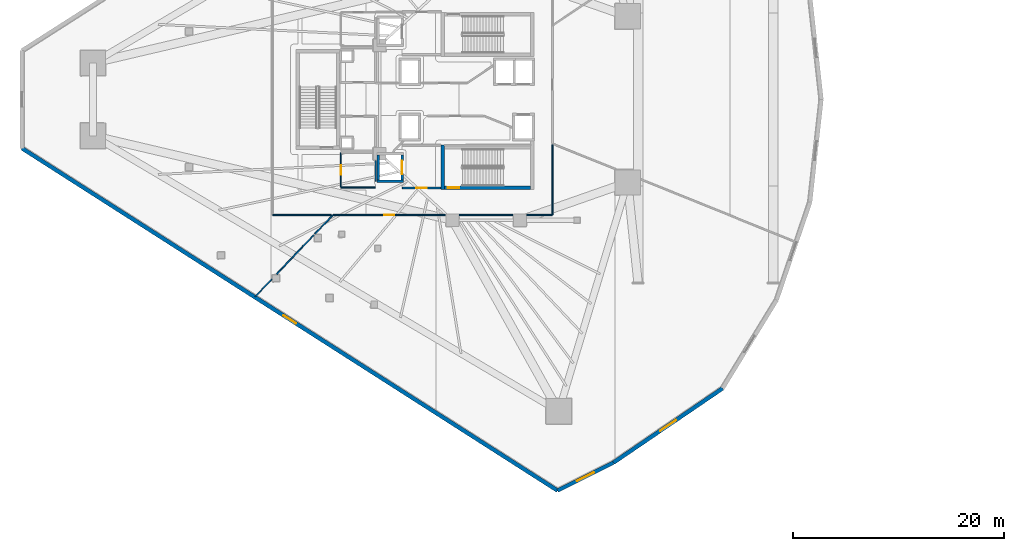
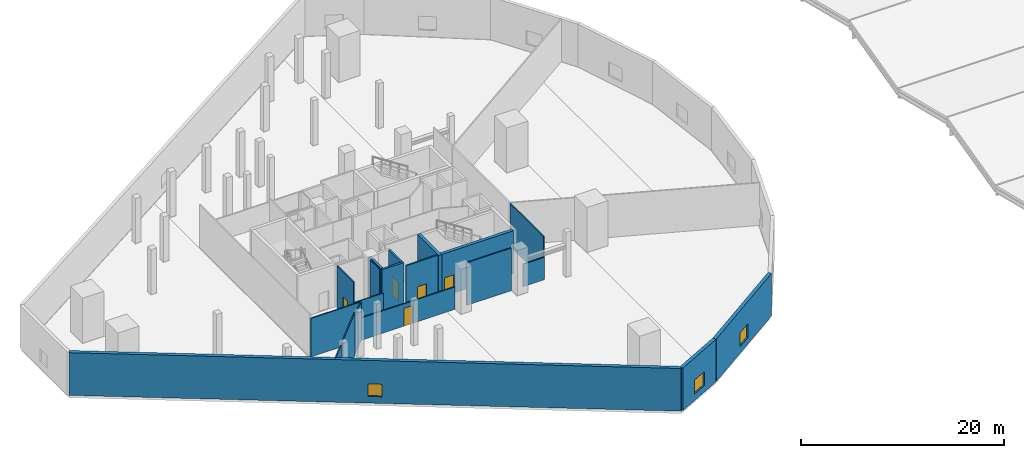
# One storey, part 24 of 36: 20 walls, 5 doors, 3 windows, 8 openings.
"""IFC4 building model written with IfcOpenShell, lengths in metres."""

import ifcopenshell
import ifcopenshell.guid

model = None  # the IFC model being written
_history = None  # IfcOwnerHistory: only IFC2X3 demands one
_inside = {}  # id of a spatial element -> (the spatial element, [elements in it])
_under = {}  # id of a project, library or spatial element -> (it, [spatial elements below it])
_declared = {}  # id of a project -> (the project, [libraries it declares])
_typed = {}  # id of a type object -> (the type object, [elements of that type])
_made_of = {}  # id of a material, layer set ... -> (it, [elements and type objects made of it])


def new_model(schema):
    """Start an empty IFC model of exactly this schema.

    Asked for "IFC4X3", IfcOpenShell would pick the latest addendum, in which some entities
    have other attributes; the version numbers below select the first issue.
    IFC2X3 requires an IfcOwnerHistory on every rooted entity: one is made here for all.
    """
    global model, _history
    if schema == "IFC4X3":
        model = ifcopenshell.file(schema_version=(4, 3, 0, 0))
    else:
        model = ifcopenshell.file(schema=schema)
    _inside.clear()
    _under.clear()
    _declared.clear()
    _typed.clear()
    _made_of.clear()
    _history = None
    if model.schema == "IFC2X3":
        org = make("IfcOrganization", Name="unknown")
        user = make(
            "IfcPersonAndOrganization",
            ThePerson=make("IfcPerson", FamilyName="unknown"),
            TheOrganization=org,
        )
        app = make(
            "IfcApplication",
            ApplicationDeveloper=org,
            Version="unknown",
            ApplicationFullName="unknown",
            ApplicationIdentifier="unknown",
        )
        _history = make(
            "IfcOwnerHistory",
            OwningUser=user,
            OwningApplication=app,
            ChangeAction="ADDED",
            CreationDate=0,
        )
    return model


def make(cls, **values):
    """One entity of the class cls with the attributes given. An attribute that is None is left unset."""
    return model.create_entity(
        cls, **{name: value for name, value in values.items() if value is not None}
    )


def rooted(cls, **values):
    """An entity with a GlobalId (a new one), such as an element, a storey or a relation."""
    return make(cls, GlobalId=ifcopenshell.guid.new(), OwnerHistory=_history, **values)


def si_unit(unit_type, name, prefix=None):
    """IfcSIUnit, for example si_unit("LENGTHUNIT", "METRE", prefix="MILLI")."""
    return make("IfcSIUnit", UnitType=unit_type, Prefix=prefix, Name=name)


def assignment(units):
    """IfcUnitAssignment: the units of a project."""
    return None if units is None else make("IfcUnitAssignment", Units=units)


def point(xyz):
    """IfcCartesianPoint."""
    return None if xyz is None else make("IfcCartesianPoint", Coordinates=xyz)


def direction(xyz):
    """IfcDirection."""
    return None if xyz is None else make("IfcDirection", DirectionRatios=xyz)


def frame(location, z_axis=None, x_axis=None):
    """IfcAxis2Placement3D, a coordinate frame: its origin and axes. An axis left out is left unset."""
    return make(
        "IfcAxis2Placement3D",
        Location=point(location),
        Axis=direction(z_axis),
        RefDirection=direction(x_axis),
    )


def frame_2d(location, x_axis=None):
    """IfcAxis2Placement2D, a coordinate frame in the plane: its origin and x axis."""
    return make(
        "IfcAxis2Placement2D", Location=point(location), RefDirection=direction(x_axis)
    )


def origin():
    """The frame at (0, 0, 0) with its axes left unset."""
    return frame((0.0, 0.0, 0.0))


def place(relative_to, where):
    """IfcLocalPlacement: puts the frame where relative to a parent placement (None: the world)."""
    return make(
        "IfcLocalPlacement", PlacementRelTo=relative_to, RelativePlacement=where
    )


def context(
    kind, dimensions, precision=None, world=None, true_north=None, identifier=None
):
    """IfcGeometricRepresentationContext, for example the 3D "Model" context."""
    return make(
        "IfcGeometricRepresentationContext",
        ContextIdentifier=identifier,
        ContextType=kind,
        CoordinateSpaceDimension=dimensions,
        Precision=precision,
        WorldCoordinateSystem=world,
        TrueNorth=true_north,
    )


def subcontext(parent, identifier, kind, view, scale=None):
    """IfcGeometricRepresentationSubContext, for example "Body" below "Model"."""
    return make(
        "IfcGeometricRepresentationSubContext",
        ContextIdentifier=identifier,
        ContextType=kind,
        ParentContext=parent,
        TargetScale=scale,
        TargetView=view,
    )


def project(units=None, contexts=None):
    """IfcProject with its units and contexts."""
    return rooted(
        "IfcProject",
        Name="project",
        RepresentationContexts=contexts,
        UnitsInContext=assignment(units),
    )


def spatial(cls, under=None, at=None, **own):
    """A site, building, storey or space (cls), placed at a placement, below another one or the project."""
    s = rooted(cls, ObjectPlacement=at, **own)
    if under is not None:
        _under.setdefault(under.id(), (under, []))[1].append(s)
    return s


def profile(cls, at=None, kind="AREA", **sizes):
    """A parametric profile (cls). Its sizes go by their IFC names, for example OverallWidth=200.0."""
    return make(cls, ProfileType=kind, Position=at, **sizes)


def rectangle(**sizes):
    """IfcRectangleProfileDef."""
    return profile("IfcRectangleProfileDef", **sizes)


def extrude(swept, where, along, depth):
    """IfcExtrudedAreaSolid: the profile swept, set in the frame where, extruded along a direction by depth."""
    return make(
        "IfcExtrudedAreaSolid",
        SweptArea=swept,
        Position=where,
        ExtrudedDirection=direction(along),
        Depth=depth,
    )


def shape(context_of_items, identifier, shape_type, items):
    """IfcShapeRepresentation: the items that make up one representation, for example the "Body"."""
    return make(
        "IfcShapeRepresentation",
        ContextOfItems=context_of_items,
        RepresentationIdentifier=identifier,
        RepresentationType=shape_type,
        Items=items,
    )


def material(Name=None, Category=None):
    """IfcMaterial."""
    return make("IfcMaterial", Name=Name, Category=Category)


def layer(
    of_material, thickness, ventilated=None, Name=None, Category=None, Priority=None
):
    """IfcMaterialLayer: one layer of a wall or slab, of a material (None: an air gap)."""
    return make(
        "IfcMaterialLayer",
        Material=of_material,
        LayerThickness=thickness,
        IsVentilated=ventilated,
        Name=Name,
        Category=Category,
        Priority=Priority,
    )


def layer_set(layers, Name=None):
    """IfcMaterialLayerSet."""
    return make("IfcMaterialLayerSet", MaterialLayers=layers, LayerSetName=Name)


def made_of(thing, what):
    """Note that an element or type object is made of a material, layer set ...; save() writes the relation."""
    if what is not None:
        _made_of.setdefault(what.id(), (what, []))[1].append(thing)
    return thing


def type_object(cls, material=None, **own):
    """A type object (cls), such as IfcWallType, which elements share."""
    return made_of(rooted(cls, **own), material)


def element(
    cls,
    number,
    at=None,
    inside=None,
    cuts=None,
    type_object=None,
    material=None,
    context=None,
    identifier="Body",
    shape_type=None,
    held_by="IfcProductDefinitionShape",
    body=None,
    shapes=None,
    **own,
):
    """One element of the class cls, such as IfcWall. Its Tag is "e" and its number.

    at: its placement. inside: the storey or other place that contains it. cuts: it is an
    opening in that element (IfcRelVoidsElement). A single representation is given by context,
    identifier, shape_type and body (its items); several are given by shapes. held_by: the class
    of the entity that holds the representations. save() writes the other relations.
    """
    e = rooted(cls, Tag="e%d" % number, ObjectPlacement=at, **own)
    if body is not None:
        shapes = [shape(context, identifier, shape_type, body)]
    if shapes is not None:
        e.Representation = make(held_by, Representations=shapes)
    if inside is not None:
        _inside.setdefault(inside.id(), (inside, []))[1].append(e)
    if cuts is not None:
        rooted(
            "IfcRelVoidsElement", RelatingBuildingElement=cuts, RelatedOpeningElement=e
        )
    if type_object is not None:
        _typed.setdefault(type_object.id(), (type_object, []))[1].append(e)
    return made_of(e, material)


def fill(opening, filler):
    """IfcRelFillsElement: the door or window that sits in an opening."""
    return rooted(
        "IfcRelFillsElement",
        RelatingOpeningElement=opening,
        RelatedBuildingElement=filler,
    )


def aggregate(whole, parts):
    """IfcRelAggregates: a whole, such as a stair, and the parts it consists of."""
    return rooted("IfcRelAggregates", RelatingObject=whole, RelatedObjects=parts)


def save(model, path):
    """Write the relations noted so far, then the file.

    IfcRelAggregates (storeys below a building ...), IfcRelContainedInSpatialStructure (elements
    in a storey), IfcRelDefinesByType, IfcRelAssociatesMaterial and IfcRelDeclares: one each for
    every whole, place, type object, material and project.
    """
    for whole, parts in _under.values():
        aggregate(whole, parts)
    for where, things in _inside.values():
        rooted(
            "IfcRelContainedInSpatialStructure",
            RelatedElements=things,
            RelatingStructure=where,
        )
    for kind, things in _typed.values():
        rooted("IfcRelDefinesByType", RelatedObjects=things, RelatingType=kind)
    for what, things in _made_of.values():
        rooted("IfcRelAssociatesMaterial", RelatedObjects=things, RelatingMaterial=what)
    for by, libraries in _declared.values():
        rooted("IfcRelDeclares", RelatingContext=by, RelatedDefinitions=libraries)
    model.write(path)


model = new_model("IFC4")

# Units and contexts
model_context = context("Model", 3, precision=1e-05, world=origin(), true_north=direction((0.0, 1.0)))
body_context = subcontext(model_context, "Body", "Model", "MODEL_VIEW")
ifc_project = project(units=[si_unit("LENGTHUNIT", "METRE"), si_unit("AREAUNIT", "SQUARE_METRE"), si_unit("VOLUMEUNIT", "CUBIC_METRE"), si_unit("PLANEANGLEUNIT", "RADIAN"), si_unit("MASSUNIT", "GRAM", prefix="KILO")], contexts=[model_context])

# Site, building, storey
site_placement = place(None, origin())
site = spatial("IfcSite", under=ifc_project, at=site_placement, CompositionType="ELEMENT")
building_placement = place(site_placement, origin())
building = spatial("IfcBuilding", under=site, at=building_placement, Name="Qorvath Tower", CompositionType="ELEMENT")
storey_placement = place(building_placement, frame((0.0, 0.0, 27.0)))
storey = spatial("IfcBuildingStorey", under=building, at=storey_placement, Name="L05", CompositionType="ELEMENT", Elevation=27.0)

# Wall, opening, door
ifc_material_1 = material(Name="Gypsum shaftliner on steel studs", Category="steel")
ifc_layer_1 = layer(ifc_material_1, 0.179931640625)
ifc_layer_set_1 = layer_set([ifc_layer_1], Name="FW-LOBBY")
wall_type_1 = type_object("IfcWallType", Name="FW-LOBBY", PredefinedType="PARTITIONING", material=ifc_layer_set_1)
wall_1_placement = place(storey_placement, frame((-28.35498046875, -8.39990234375, 0.0), z_axis=(0.0, 0.0, 1.0), x_axis=(1.0, 0.0, 0.0)))
wall_1 = element("IfcWall", 1, at=wall_1_placement, inside=storey, type_object=wall_type_1, Name="Interior Partition IW-T1-L05-003", PredefinedType="PARTITIONING", context=body_context, shape_type="SweptSolid", body=[
    extrude(rectangle(XDim=3.6220703125, YDim=0.179931640625, at=frame_2d((1.81103515625, 0.0))), origin(), (0.0, 0.0, 1.0), 5.1201171875),
])
opening_1_placement = place(wall_1_placement, frame((1.31103515625, 0.0, 0.0)))
opening_1 = element("IfcOpeningElement", 2, at=opening_1_placement, cuts=wall_1, Name="Opening D-T1-L05-10", PredefinedType="OPENING", context=body_context, shape_type="SweptSolid", body=[
    extrude(rectangle(XDim=1.0, YDim=2.14990234375, at=frame_2d((0.5, 1.074951171875))), frame((0.0, 0.10009765625, 0.0), z_axis=(0.0, -1.0, 0.0), x_axis=(1.0, 0.0, 0.0)), (0.0, 0.0, 1.0), 0.199951171875),
])
ifc_material_2 = material(Name="Painted galvanised hollow metal", Category="steel")
door_type_1 = type_object("IfcDoorType", Name="FD-60", OperationType="NOTDEFINED", PredefinedType="DOOR", material=ifc_material_2)
door_1_placement = place(opening_1_placement, origin())
door_1 = element("IfcDoor", 3, at=door_1_placement, inside=storey, type_object=door_type_1, Name="Lobby Fire Service Elevator South Door D-T1-L05-10", OperationType="SINGLE_SWING_LEFT", OverallHeight=2.14990234375, OverallWidth=1.0, PredefinedType="DOOR", context=body_context, shape_type="SweptSolid", body=[
    extrude(rectangle(XDim=1.0, YDim=2.14990234375, at=frame_2d((0.5, 1.074951171875))), frame((0.0, 0.02490234375, 0.0), z_axis=(0.0, -1.0, 0.0), x_axis=(1.0, 0.0, 0.0)), (0.0, 0.0, 1.0), 0.050048828125),
])
fill(opening_1, door_1)

# Walls
ifc_material_3 = material(Name="Gypsum board on metal studs with mineral wool", Category="gypsum")
ifc_layer_2 = layer(ifc_material_3, 0.125)
ifc_layer_set_2 = layer_set([ifc_layer_2], Name="IW-PART-125")
wall_type_2 = type_object("IfcWallType", Name="IW-PART-125", PredefinedType="PARTITIONING", material=ifc_layer_set_2)
wall_2_placement = place(storey_placement, frame((-42.29296875, -18.68505859375, 0.0), z_axis=(0.0, 0.0, 1.0), x_axis=(0.689612547917, 0.724178523401, 0.0)))
element("IfcWall", 4, at=wall_2_placement, inside=storey, type_object=wall_type_2, Name="Interior Partition IW-T1-L05-023", PredefinedType="PARTITIONING", context=body_context, shape_type="SweptSolid", body=[
    extrude(rectangle(XDim=2.288330078125, YDim=0.125, at=frame_2d((1.14404296875, 0.0))), origin(), (0.0, 0.0, 1.0), 5.1201171875),
])
wall_3_placement = place(storey_placement, frame((-40.28125, -16.57275390625, 0.0), z_axis=(0.0, 0.0, 1.0), x_axis=(0.689604024541, 0.724186639849, 0.0)))
element("IfcWall", 5, at=wall_3_placement, inside=storey, type_object=wall_type_2, Name="Interior Partition IW-T1-L05-024", PredefinedType="PARTITIONING", context=body_context, shape_type="SweptSolid", body=[
    extrude(rectangle(XDim=5.125244140625, YDim=0.125, at=frame_2d((2.5625, 0.0))), origin(), (0.0, 0.0, 1.0), 5.1201171875),
])
wall_4_placement = place(storey_placement, frame((-36.6435546875, -12.75244140625, 0.0), z_axis=(0.0, 0.0, 1.0), x_axis=(0.689575635265, 0.724213672371, 0.0)))
element("IfcWall", 6, at=wall_4_placement, inside=storey, type_object=wall_type_2, Name="Interior Partition IW-T1-L05-025", PredefinedType="PARTITIONING", context=body_context, shape_type="SweptSolid", body=[
    extrude(rectangle(XDim=2.452880859375, YDim=0.125, at=frame_2d((1.2265625, 0.0))), origin(), (0.0, 0.0, 1.0), 4.633056640625),
])
wall_5_placement = place(storey_placement, frame((-40.633056640625, -10.9580078125, 0.0), z_axis=(0.0, 0.0, 1.0), x_axis=(1.0, 0.0, 0.0)))
element("IfcWall", 7, at=wall_5_placement, inside=storey, type_object=wall_type_2, Name="Interior Partition IW-T1-L05-026", PredefinedType="PARTITIONING", context=body_context, shape_type="SweptSolid", body=[
    extrude(rectangle(XDim=5.555908203125, YDim=0.125, at=frame_2d((2.77783203125, 0.0))), origin(), (0.0, 0.0, 1.0), 4.633056640625),
])

# Wall, opening, door
wall_6_placement = place(storey_placement, frame((-24.264892578125, -10.9580078125, 0.0), z_axis=(0.0, 0.0, 1.0), x_axis=(-1.0, 0.0, 0.0)))
wall_6 = element("IfcWall", 8, at=wall_6_placement, inside=storey, type_object=wall_type_2, Name="Interior Partition IW-T1-L05-032", PredefinedType="PARTITIONING", context=body_context, shape_type="SweptSolid", body=[
    extrude(rectangle(XDim=10.6337890625, YDim=0.125, at=frame_2d((5.31689453125, 0.0))), origin(), (0.0, 0.0, 1.0), 2.690185546875),
])
opening_2_placement = place(wall_6_placement, frame((4.841796875, 0.0, 0.0)))
opening_2 = element("IfcOpeningElement", 9, at=opening_2_placement, cuts=wall_6, Name="Opening D-T1-L05-08", PredefinedType="OPENING", context=body_context, shape_type="SweptSolid", body=[
    extrude(rectangle(XDim=0.949951171875, YDim=2.14990234375, at=frame_2d((0.47509765625, 1.074951171875))), frame((0.0, 0.072509765625, 0.0), z_axis=(0.0, -1.0, 0.0), x_axis=(1.0, 0.0, 0.0)), (0.0, 0.0, 1.0), 0.14501953125),
])
ifc_material_4 = material(Name="Solid-core American white oak veneer", Category="wood")
door_type_2 = type_object("IfcDoorType", Name="D-01", OperationType="NOTDEFINED", PredefinedType="DOOR", material=ifc_material_4)
door_2_placement = place(opening_2_placement, origin())
door_2 = element("IfcDoor", 10, at=door_2_placement, inside=storey, type_object=door_type_2, Name="L05-03 Design Pin-Up Atelier Door D-T1-L05-08", OperationType="SINGLE_SWING_LEFT", OverallHeight=2.14990234375, OverallWidth=0.949951171875, PredefinedType="DOOR", context=body_context, shape_type="SweptSolid", body=[
    extrude(rectangle(XDim=0.949951171875, YDim=2.14990234375, at=frame_2d((0.47509765625, 1.074951171875))), frame((0.0, 0.02490234375, 0.0), z_axis=(0.0, -1.0, 0.0), x_axis=(1.0, 0.0, 0.0)), (0.0, 0.0, 1.0), 0.050048828125),
])
fill(opening_2, door_2)

# Walls
wall_7_placement = place(storey_placement, frame((-14.112060546875, -10.93310546875, 0.0), z_axis=(0.0, 0.0, 1.0), x_axis=(0.0, 1.0, 0.0)))
element("IfcWall", 11, at=wall_7_placement, inside=storey, type_object=wall_type_2, Name="Interior Partition IW-T1-L05-035", PredefinedType="PARTITIONING", context=body_context, shape_type="SweptSolid", body=[
    extrude(rectangle(XDim=6.618896484375, YDim=0.125, at=frame_2d((3.3095703125, 0.0))), origin(), (0.0, 0.0, 1.0), 5.1201171875),
])
wall_8_placement = place(storey_placement, frame((-14.13720703125, -10.9580078125, 0.0), z_axis=(0.0, 0.0, 1.0), x_axis=(-1.0, 0.0, 0.0)))
element("IfcWall", 12, at=wall_8_placement, inside=storey, type_object=wall_type_2, Name="Interior Partition IW-T1-L05-036", PredefinedType="PARTITIONING", context=body_context, shape_type="SweptSolid", body=[
    extrude(rectangle(XDim=2.397705078125, YDim=0.125, at=frame_2d((1.19873046875, 0.0))), origin(), (0.0, 0.0, 1.0), 2.690185546875),
])
wall_9_placement = place(storey_placement, frame((-17.864990234375, -10.9580078125, 0.0), z_axis=(0.0, 0.0, 1.0), x_axis=(-1.0, 0.0, 0.0)))
element("IfcWall", 13, at=wall_9_placement, inside=storey, type_object=wall_type_2, Name="Interior Partition IW-T1-L05-037", PredefinedType="PARTITIONING", context=body_context, shape_type="SweptSolid", body=[
    extrude(rectangle(XDim=5.070068359375, YDim=0.125, at=frame_2d((2.53515625, 0.0))), origin(), (0.0, 0.0, 1.0), 5.1201171875),
])
ifc_material_5 = material(Name="Moisture-resistant cement board on metal studs", Category="gypsum")
ifc_layer_3 = layer(ifc_material_5, 0.110107421875)
ifc_layer_set_3 = layer_set([ifc_layer_3], Name="IW-WC-110")
wall_type_3 = type_object("IfcWallType", Name="IW-WC-110", PredefinedType="PARTITIONING", material=ifc_layer_set_3)
wall_10_placement = place(storey_placement, frame((-34.15478515625, -8.35009765625, 0.0), z_axis=(0.0, 0.0, 1.0), x_axis=(1.0, 0.0, 0.0)))
element("IfcWall", 14, at=wall_10_placement, inside=storey, type_object=wall_type_3, Name="Interior Partition IW-T1-L05-009", PredefinedType="PARTITIONING", context=body_context, shape_type="SweptSolid", body=[
    extrude(rectangle(XDim=3.25, YDim=0.110107421875, at=frame_2d((1.625, 0.0))), origin(), (0.0, 0.0, 1.0), 2.690185546875),
])
wall_11_placement = place(storey_placement, frame((-30.8798828125, -7.742919921875, 0.0), z_axis=(0.0, 0.0, 1.0), x_axis=(0.0, 1.0, 0.0)))
element("IfcWall", 15, at=wall_11_placement, inside=storey, type_object=wall_type_3, Name="Interior Partition IW-T1-L05-010", PredefinedType="PARTITIONING", context=body_context, shape_type="SweptSolid", body=[
    extrude(rectangle(XDim=1.927978515625, YDim=0.110107421875, at=frame_2d((0.9638671875, 0.0))), origin(), (0.0, 0.0, 1.0), 5.1201171875),
])

# Wall, opening, door
wall_12_placement = place(storey_placement, frame((-34.179931640625, -5.074951171875, 0.0), z_axis=(0.0, 0.0, 1.0), x_axis=(0.0, -1.0, 0.0)))
wall_12 = element("IfcWall", 16, at=wall_12_placement, inside=storey, type_object=wall_type_3, Name="Interior Partition IW-T1-L05-012", PredefinedType="PARTITIONING", context=body_context, shape_type="SweptSolid", body=[
    extrude(rectangle(XDim=3.250244140625, YDim=0.110107421875, at=frame_2d((1.625, 0.0))), origin(), (0.0, 0.0, 1.0), 5.1201171875),
])
opening_3_placement = place(wall_12_placement, frame((1.18505859375, 0.0, 0.0)))
opening_3 = element("IfcOpeningElement", 17, at=opening_3_placement, cuts=wall_12, Name="Opening D-T1-L05-03", PredefinedType="OPENING", context=body_context, shape_type="SweptSolid", body=[
    extrude(rectangle(XDim=0.8798828125, YDim=2.10009765625, at=frame_2d((0.43994140625, 1.050048828125))), frame((0.0, 0.06494140625, 0.0), z_axis=(0.0, -1.0, 0.0), x_axis=(1.0, 0.0, 0.0)), (0.0, 0.0, 1.0), 0.130126953125),
])
ifc_material_6 = material(Name="Solid-core oak with acoustic drop seal", Category="wood")
door_type_3 = type_object("IfcDoorType", Name="D-02", OperationType="NOTDEFINED", PredefinedType="DOOR", material=ifc_material_6)
door_3_placement = place(opening_3_placement, origin())
door_3 = element("IfcDoor", 18, at=door_3_placement, inside=storey, type_object=door_type_3, Name="Accessible WC South L05 Door D-T1-L05-03", OperationType="SINGLE_SWING_RIGHT", OverallHeight=2.10009765625, OverallWidth=0.8798828125, PredefinedType="DOOR", context=body_context, shape_type="SweptSolid", body=[
    extrude(rectangle(XDim=0.8798828125, YDim=2.10009765625, at=frame_2d((0.43994140625, 1.050048828125))), frame((0.0, 0.02490234375, 0.0), z_axis=(0.0, -1.0, 0.0), x_axis=(1.0, 0.0, 0.0)), (0.0, 0.0, 1.0), 0.050048828125),
])
fill(opening_3, door_3)

# Walls
ifc_material_7 = material(Name="Concrete C60/75", Category="concrete")
ifc_layer_4 = layer(ifc_material_7, 0.260009765625)
ifc_layer_set_4 = layer_set([ifc_layer_4], Name="SW-SHAFT")
wall_type_4 = type_object("IfcWallType", Name="SW-SHAFT", PredefinedType="SHEAR", material=ifc_layer_set_4)
wall_13_placement = place(storey_placement, frame((-28.260009765625, -7.77001953125, 0.0), z_axis=(0.0, 0.0, 1.0), x_axis=(-1.0, 0.0, 0.0)))
element("IfcWall", 19, at=wall_13_placement, inside=storey, type_object=wall_type_4, Name="Hoistway Wall FSAE-2 L05 S", PredefinedType="SHEAR", context=body_context, shape_type="SweptSolid", body=[
    extrude(rectangle(XDim=2.47998046875, YDim=0.239990234375, at=frame_2d((1.239990234375, 0.0))), origin(), (0.0, 0.0, 1.0), 5.1201171875),
])
wall_14_placement = place(storey_placement, frame((-30.6201171875, -7.637939453125, 0.0), z_axis=(0.0, 0.0, 1.0), x_axis=(0.0, 1.0, 0.0)))
element("IfcWall", 20, at=wall_14_placement, inside=storey, type_object=wall_type_4, Name="Hoistway Wall FSAE-2 L05 W", PredefinedType="SHEAR", context=body_context, shape_type="SweptSolid", body=[
    extrude(rectangle(XDim=2.3759765625, YDim=0.239990234375, at=frame_2d((1.18798828125, 0.0))), origin(), (0.0, 0.0, 1.0), 5.1201171875),
])

# Wall, opening, door
wall_15_placement = place(storey_placement, frame((-28.3798828125, -5.261962890625, 0.0), z_axis=(0.0, 0.0, 1.0), x_axis=(0.0, -1.0, 0.0)))
wall_15 = element("IfcWall", 21, at=wall_15_placement, inside=storey, type_object=wall_type_4, Name="Hoistway Wall FSAE-2 L05 E", PredefinedType="SHEAR", context=body_context, shape_type="SweptSolid", body=[
    extrude(rectangle(XDim=2.3759765625, YDim=0.239990234375, at=frame_2d((1.18798828125, 0.0))), origin(), (0.0, 0.0, 1.0), 5.1201171875),
])
opening_4_placement = place(wall_15_placement, frame((0.5380859375, 0.0, 0.0)))
opening_4 = element("IfcOpeningElement", 22, at=opening_4_placement, cuts=wall_15, Name="Opening LD-FSAE-2-L05", PredefinedType="OPENING", context=body_context, shape_type="SweptSolid", body=[
    extrude(rectangle(XDim=1.300048828125, YDim=2.300048828125, at=frame_2d((0.64990234375, 1.14990234375))), frame((0.0, 0.1298828125, 0.0), z_axis=(0.0, -1.0, 0.0), x_axis=(1.0, 0.0, 0.0)), (0.0, 0.0, 1.0), 0.260009765625),
])
ifc_material_8 = material(Name="Brushed stainless steel AISI 316", Category="steel")
door_type_4 = type_object("IfcDoorType", Name="LD-02", OperationType="NOTDEFINED", PredefinedType="DOOR", material=ifc_material_8)
door_4_placement = place(opening_4_placement, origin())
door_4 = element("IfcDoor", 23, at=door_4_placement, inside=storey, type_object=door_type_4, Name="Elevator Landing Sliding Door LD-FSAE-2-L05", OperationType="DOUBLE_DOOR_SLIDING", OverallHeight=2.300048828125, OverallWidth=1.300048828125, PredefinedType="DOOR", context=body_context, shape_type="SweptSolid", body=[
    extrude(rectangle(XDim=1.300048828125, YDim=2.300048828125, at=frame_2d((0.64990234375, 1.14990234375))), frame((0.0, 0.02490234375, 0.0), z_axis=(0.0, -1.0, 0.0), x_axis=(1.0, 0.0, 0.0)), (0.0, 0.0, 1.0), 0.050048828125),
])
fill(opening_4, door_4)

# Wall
ifc_material_9 = material(Name="Concrete C60/75", Category="concrete")
ifc_layer_5 = layer(ifc_material_9, 0.35009765625)
ifc_layer_set_5 = layer_set([ifc_layer_5], Name="SW-STAIR")
wall_type_5 = type_object("IfcWallType", Name="SW-STAIR", PredefinedType="SHEAR", material=ifc_layer_set_5)
wall_16_placement = place(storey_placement, frame((-24.52490234375, -4.340087890625, 0.0), z_axis=(0.0, 0.0, 1.0), x_axis=(0.0, -1.0, 0.0)))
element("IfcWall", 24, at=wall_16_placement, inside=storey, type_object=wall_type_5, Name="Stair TS2 Shear Wall L05 NEAR", PredefinedType="SHEAR", context=body_context, shape_type="SweptSolid", body=[
    extrude(rectangle(XDim=4.2099609375, YDim=0.35009765625, at=frame_2d((2.10498046875, 0.0))), origin(), (0.0, 0.0, 1.0), 5.1201171875),
])

# Wall, opening, door
wall_17_placement = place(storey_placement, frame((-24.3349609375, -8.375, 0.0), z_axis=(0.0, 0.0, 1.0), x_axis=(1.0, 0.0, 0.0)))
wall_17 = element("IfcWall", 25, at=wall_17_placement, inside=storey, type_object=wall_type_5, Name="Stair TS2 Shear Wall L05 LEFT", PredefinedType="SHEAR", context=body_context, shape_type="SweptSolid", body=[
    extrude(rectangle(XDim=8.119873046875, YDim=0.35009765625, at=frame_2d((4.06005859375, 0.0))), origin(), (0.0, 0.0, 1.0), 5.1201171875),
])
opening_5_placement = place(wall_17_placement, frame((0.280029296875, 0.0, 0.0)))
opening_5 = element("IfcOpeningElement", 26, at=opening_5_placement, cuts=wall_17, Name="Opening D-TS2-L05", PredefinedType="OPENING", context=body_context, shape_type="SweptSolid", body=[
    extrude(rectangle(XDim=1.10009765625, YDim=2.199951171875, at=frame_2d((0.550048828125, 1.10009765625))), frame((0.0, 0.18505859375, 0.0), z_axis=(0.0, -1.0, 0.0), x_axis=(1.0, 0.0, 0.0)), (0.0, 0.0, 1.0), 0.3701171875),
])
ifc_material_10 = material(Name="Painted galvanised hollow metal", Category="steel")
door_type_5 = type_object("IfcDoorType", Name="FD-90", OperationType="NOTDEFINED", PredefinedType="DOOR", material=ifc_material_10)
door_5_placement = place(opening_5_placement, origin())
door_5 = element("IfcDoor", 27, at=door_5_placement, inside=storey, type_object=door_type_5, Name="Stair TS2 Fire Door L05", OperationType="SINGLE_SWING_RIGHT", OverallHeight=2.199951171875, OverallWidth=1.10009765625, PredefinedType="DOOR", context=body_context, shape_type="SweptSolid", body=[
    extrude(rectangle(XDim=1.10009765625, YDim=2.199951171875, at=frame_2d((0.550048828125, 1.10009765625))), frame((0.0, 0.02490234375, 0.0), z_axis=(0.0, -1.0, 0.0), x_axis=(1.0, 0.0, 0.0)), (0.0, 0.0, 1.0), 0.050048828125),
])
fill(opening_5, door_5)

# Wall, opening, window
ifc_material_11 = material(Name="Precast concrete C50/60", Category="concrete")
ifc_layer_6 = layer(ifc_material_11, 0.3798828125)
ifc_layer_set_6 = layer_set([ifc_layer_6], Name="WL-EW-POD-380")
wall_type_6 = type_object("IfcWallType", Name="WL-EW-POD-380", PredefinedType="SOLIDWALL", material=ifc_layer_set_6)
wall_18_placement = place(storey_placement, frame((-13.63525390625, -37.094482421875, 0.0), z_axis=(0.0, 0.0, 1.0), x_axis=(-0.842602364841, 0.538536214905, 0.0)))
wall_18 = element("IfcWall", 28, at=wall_18_placement, inside=storey, type_object=wall_type_6, Name="Tower Podium Precast Facade Wall L05-1.1", PredefinedType="SOLIDWALL", context=body_context, shape_type="SweptSolid", body=[
    extrude(rectangle(XDim=60.270263671875, YDim=0.3798828125, at=frame_2d((30.13525390625, 0.0))), origin(), (0.0, 0.0, 1.0), 5.1201171875),
])
opening_6_placement = place(wall_18_placement, frame((29.43505859375, 0.0, 0.800048828125)))
opening_6 = element("IfcOpeningElement", 29, at=opening_6_placement, cuts=wall_18, Name="Opening WN-L05-057", PredefinedType="OPENING", context=body_context, shape_type="SweptSolid", body=[
    extrude(rectangle(XDim=1.39990234375, YDim=1.5, at=frame_2d((0.699951171875, 0.75))), frame((0.0, 0.199951171875, 0.0), z_axis=(0.0, -1.0, 0.0), x_axis=(1.0, 0.0, 0.0)), (0.0, 0.0, 1.0), 0.39990234375),
])
ifc_material_12 = material(Name="Thermally broken aluminium and triple low-E glass", Category="aluminium")
window_type_1 = type_object("IfcWindowType", Name="WN-3", PartitioningType="SINGLE_PANEL", PredefinedType="WINDOW", material=ifc_material_12)
window_1_placement = place(opening_6_placement, origin())
window_1 = element("IfcWindow", 30, at=window_1_placement, inside=storey, type_object=window_type_1, Name="Podium Punched Window L05-057", OverallHeight=1.5, OverallWidth=1.39990234375, PartitioningType="SINGLE_PANEL", PredefinedType="WINDOW", context=body_context, shape_type="SweptSolid", body=[
    extrude(rectangle(XDim=1.39990234375, YDim=1.5, at=frame_2d((0.699951171875, 0.75))), frame((0.0, 0.030029296875, 0.0), z_axis=(0.0, -1.0, 0.0), x_axis=(1.0, 0.0, 0.0)), (0.0, 0.0, 1.0), 0.06005859375),
])
fill(opening_6, window_1)

wall_19_placement = place(storey_placement, frame((-8.3359375, -34.44482421875, 0.0), z_axis=(0.0, 0.0, 1.0), x_axis=(-0.894427191, -0.4472135955, 0.0)))
wall_19 = element("IfcWall", 31, at=wall_19_placement, inside=storey, type_object=wall_type_6, Name="Tower Podium Precast Facade Wall L05-2.1", PredefinedType="SOLIDWALL", context=body_context, shape_type="SweptSolid", body=[
    extrude(rectangle(XDim=5.9248046875, YDim=0.3798828125, at=frame_2d((2.96240234375, 0.0))), origin(), (0.0, 0.0, 1.0), 5.1201171875),
])
opening_7_placement = place(wall_19_placement, frame((2.0625, 0.0, 0.800048828125)))
opening_7 = element("IfcOpeningElement", 32, at=opening_7_placement, cuts=wall_19, Name="Opening WN-L05-058", PredefinedType="OPENING", context=body_context, shape_type="SweptSolid", body=[
    extrude(rectangle(XDim=1.800048828125, YDim=1.64990234375, at=frame_2d((0.89990234375, 0.824951171875))), frame((0.0, 0.199951171875, 0.0), z_axis=(0.0, -1.0, 0.0), x_axis=(1.0, 0.0, 0.0)), (0.0, 0.0, 1.0), 0.39990234375),
])
ifc_material_13 = material(Name="Thermally broken aluminium and triple low-E glass", Category="aluminium")
window_type_2 = type_object("IfcWindowType", Name="WN-1", PartitioningType="SINGLE_PANEL", PredefinedType="WINDOW", material=ifc_material_13)
window_2_placement = place(opening_7_placement, origin())
window_2 = element("IfcWindow", 33, at=window_2_placement, inside=storey, type_object=window_type_2, Name="Podium Punched Window L05-058", OverallHeight=1.64990234375, OverallWidth=1.800048828125, PartitioningType="SINGLE_PANEL", PredefinedType="WINDOW", context=body_context, shape_type="SweptSolid", body=[
    extrude(rectangle(XDim=1.800048828125, YDim=1.64990234375, at=frame_2d((0.89990234375, 0.824951171875))), frame((0.0, 0.030029296875, 0.0), z_axis=(0.0, -1.0, 0.0), x_axis=(1.0, 0.0, 0.0)), (0.0, 0.0, 1.0), 0.06005859375),
])
fill(opening_7, window_2)

wall_20_placement = place(storey_placement, frame((2.0205078125, -27.39501953125, 0.0), z_axis=(0.0, 0.0, 1.0), x_axis=(-0.826650936963, -0.562715050819, 0.0)))
wall_20 = element("IfcWall", 34, at=wall_20_placement, inside=storey, type_object=wall_type_6, Name="Tower Podium Precast Facade Wall L05-3.1", PredefinedType="SOLIDWALL", context=body_context, shape_type="SweptSolid", body=[
    extrude(rectangle(XDim=12.528076171875, YDim=0.3798828125, at=frame_2d((6.26416015625, 0.0))), origin(), (0.0, 0.0, 1.0), 5.1201171875),
])
opening_8_placement = place(wall_20_placement, frame((5.364013671875, 0.0, 0.800048828125)))
opening_8 = element("IfcOpeningElement", 35, at=opening_8_placement, cuts=wall_20, Name="Opening WN-L05-059", PredefinedType="OPENING", context=body_context, shape_type="SweptSolid", body=[
    extrude(rectangle(XDim=1.800048828125, YDim=1.64990234375, at=frame_2d((0.89990234375, 0.824951171875))), frame((0.0, 0.199951171875, 0.0), z_axis=(0.0, -1.0, 0.0), x_axis=(1.0, 0.0, 0.0)), (0.0, 0.0, 1.0), 0.39990234375),
])
window_3_placement = place(opening_8_placement, origin())
window_3 = element("IfcWindow", 36, at=window_3_placement, inside=storey, type_object=window_type_2, Name="Podium Punched Window L05-059", OverallHeight=1.64990234375, OverallWidth=1.800048828125, PartitioningType="SINGLE_PANEL", PredefinedType="WINDOW", context=body_context, shape_type="SweptSolid", body=[
    extrude(rectangle(XDim=1.800048828125, YDim=1.64990234375, at=frame_2d((0.89990234375, 0.824951171875))), frame((0.0, 0.030029296875, 0.0), z_axis=(0.0, -1.0, 0.0), x_axis=(1.0, 0.0, 0.0)), (0.0, 0.0, 1.0), 0.06005859375),
])
fill(opening_8, window_3)

save(model, "model.ifc")
